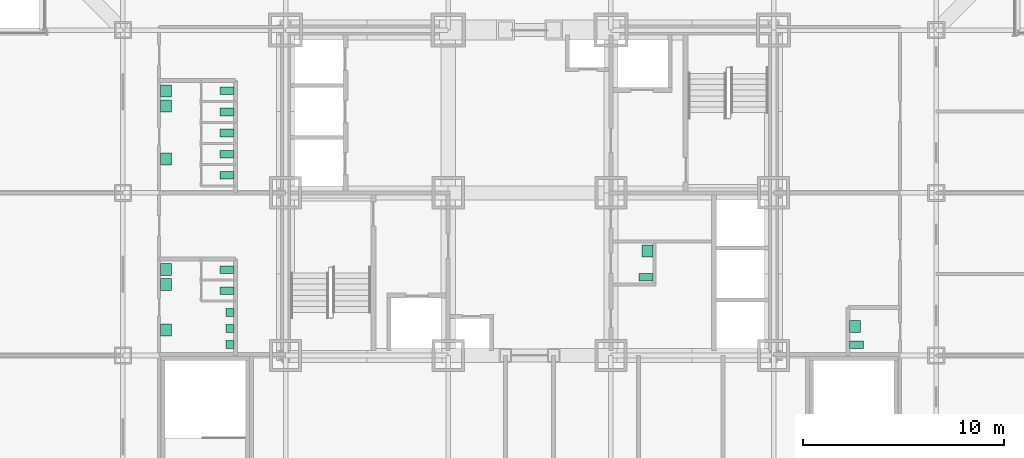
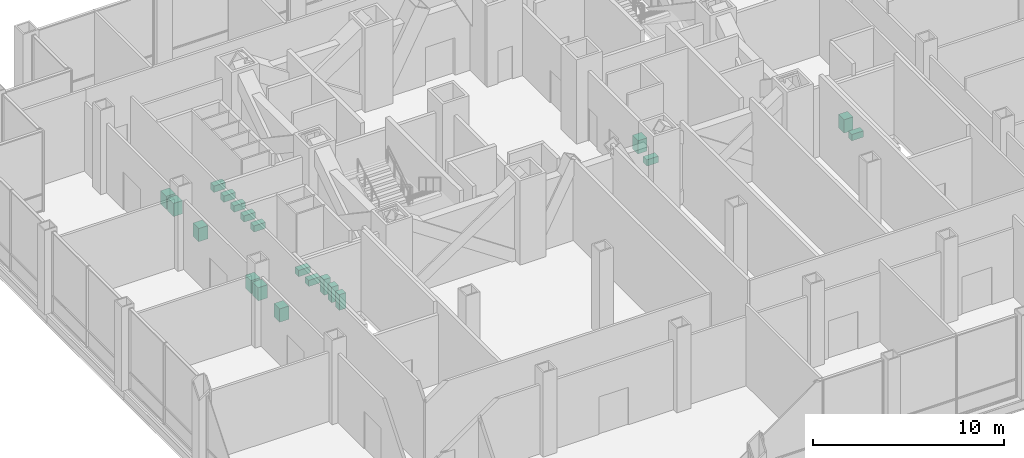
# One storey, part 18 of 18: 20 sanitary terminals.
"""IFC4 building model written with IfcOpenShell, lengths in metres."""

import ifcopenshell
import ifcopenshell.guid

model = None  # the IFC model being written
_history = None  # IfcOwnerHistory: only IFC2X3 demands one
_inside = {}  # id of a spatial element -> (the spatial element, [elements in it])
_under = {}  # id of a project, library or spatial element -> (it, [spatial elements below it])
_declared = {}  # id of a project -> (the project, [libraries it declares])
_typed = {}  # id of a type object -> (the type object, [elements of that type])
_made_of = {}  # id of a material, layer set ... -> (it, [elements and type objects made of it])


def new_model(schema):
    """Start an empty IFC model of exactly this schema.

    Asked for "IFC4X3", IfcOpenShell would pick the latest addendum, in which some entities
    have other attributes; the version numbers below select the first issue.
    IFC2X3 requires an IfcOwnerHistory on every rooted entity: one is made here for all.
    """
    global model, _history
    if schema == "IFC4X3":
        model = ifcopenshell.file(schema_version=(4, 3, 0, 0))
    else:
        model = ifcopenshell.file(schema=schema)
    _inside.clear()
    _under.clear()
    _declared.clear()
    _typed.clear()
    _made_of.clear()
    _history = None
    if model.schema == "IFC2X3":
        org = make("IfcOrganization", Name="unknown")
        user = make(
            "IfcPersonAndOrganization",
            ThePerson=make("IfcPerson", FamilyName="unknown"),
            TheOrganization=org,
        )
        app = make(
            "IfcApplication",
            ApplicationDeveloper=org,
            Version="unknown",
            ApplicationFullName="unknown",
            ApplicationIdentifier="unknown",
        )
        _history = make(
            "IfcOwnerHistory",
            OwningUser=user,
            OwningApplication=app,
            ChangeAction="ADDED",
            CreationDate=0,
        )
    return model


def make(cls, **values):
    """One entity of the class cls with the attributes given. An attribute that is None is left unset."""
    return model.create_entity(
        cls, **{name: value for name, value in values.items() if value is not None}
    )


def rooted(cls, **values):
    """An entity with a GlobalId (a new one), such as an element, a storey or a relation."""
    return make(cls, GlobalId=ifcopenshell.guid.new(), OwnerHistory=_history, **values)


def si_unit(unit_type, name, prefix=None):
    """IfcSIUnit, for example si_unit("LENGTHUNIT", "METRE", prefix="MILLI")."""
    return make("IfcSIUnit", UnitType=unit_type, Prefix=prefix, Name=name)


def assignment(units):
    """IfcUnitAssignment: the units of a project."""
    return None if units is None else make("IfcUnitAssignment", Units=units)


def point(xyz):
    """IfcCartesianPoint."""
    return None if xyz is None else make("IfcCartesianPoint", Coordinates=xyz)


def direction(xyz):
    """IfcDirection."""
    return None if xyz is None else make("IfcDirection", DirectionRatios=xyz)


def frame(location, z_axis=None, x_axis=None):
    """IfcAxis2Placement3D, a coordinate frame: its origin and axes. An axis left out is left unset."""
    return make(
        "IfcAxis2Placement3D",
        Location=point(location),
        Axis=direction(z_axis),
        RefDirection=direction(x_axis),
    )


def frame_2d(location, x_axis=None):
    """IfcAxis2Placement2D, a coordinate frame in the plane: its origin and x axis."""
    return make(
        "IfcAxis2Placement2D", Location=point(location), RefDirection=direction(x_axis)
    )


def origin():
    """The frame at (0, 0, 0) with its axes left unset."""
    return frame((0.0, 0.0, 0.0))


def origin_2d():
    """The frame at (0, 0) in the plane with its x axis left unset."""
    return frame_2d((0.0, 0.0))


def place(relative_to, where):
    """IfcLocalPlacement: puts the frame where relative to a parent placement (None: the world)."""
    return make(
        "IfcLocalPlacement", PlacementRelTo=relative_to, RelativePlacement=where
    )


def context(
    kind, dimensions, precision=None, world=None, true_north=None, identifier=None
):
    """IfcGeometricRepresentationContext, for example the 3D "Model" context."""
    return make(
        "IfcGeometricRepresentationContext",
        ContextIdentifier=identifier,
        ContextType=kind,
        CoordinateSpaceDimension=dimensions,
        Precision=precision,
        WorldCoordinateSystem=world,
        TrueNorth=true_north,
    )


def subcontext(parent, identifier, kind, view, scale=None):
    """IfcGeometricRepresentationSubContext, for example "Body" below "Model"."""
    return make(
        "IfcGeometricRepresentationSubContext",
        ContextIdentifier=identifier,
        ContextType=kind,
        ParentContext=parent,
        TargetScale=scale,
        TargetView=view,
    )


def project(units=None, contexts=None):
    """IfcProject with its units and contexts."""
    return rooted(
        "IfcProject",
        Name="project",
        RepresentationContexts=contexts,
        UnitsInContext=assignment(units),
    )


def spatial(cls, under=None, at=None, **own):
    """A site, building, storey or space (cls), placed at a placement, below another one or the project."""
    s = rooted(cls, ObjectPlacement=at, **own)
    if under is not None:
        _under.setdefault(under.id(), (under, []))[1].append(s)
    return s


def profile(cls, at=None, kind="AREA", **sizes):
    """A parametric profile (cls). Its sizes go by their IFC names, for example OverallWidth=200.0."""
    return make(cls, ProfileType=kind, Position=at, **sizes)


def rectangle(**sizes):
    """IfcRectangleProfileDef."""
    return profile("IfcRectangleProfileDef", **sizes)


def extrude(swept, where, along, depth):
    """IfcExtrudedAreaSolid: the profile swept, set in the frame where, extruded along a direction by depth."""
    return make(
        "IfcExtrudedAreaSolid",
        SweptArea=swept,
        Position=where,
        ExtrudedDirection=direction(along),
        Depth=depth,
    )


def shape(context_of_items, identifier, shape_type, items):
    """IfcShapeRepresentation: the items that make up one representation, for example the "Body"."""
    return make(
        "IfcShapeRepresentation",
        ContextOfItems=context_of_items,
        RepresentationIdentifier=identifier,
        RepresentationType=shape_type,
        Items=items,
    )


def material(Name=None, Category=None):
    """IfcMaterial."""
    return make("IfcMaterial", Name=Name, Category=Category)


def made_of(thing, what):
    """Note that an element or type object is made of a material, layer set ...; save() writes the relation."""
    if what is not None:
        _made_of.setdefault(what.id(), (what, []))[1].append(thing)
    return thing


def element(
    cls,
    number,
    at=None,
    inside=None,
    cuts=None,
    type_object=None,
    material=None,
    context=None,
    identifier="Body",
    shape_type=None,
    held_by="IfcProductDefinitionShape",
    body=None,
    shapes=None,
    **own,
):
    """One element of the class cls, such as IfcWall. Its Tag is "e" and its number.

    at: its placement. inside: the storey or other place that contains it. cuts: it is an
    opening in that element (IfcRelVoidsElement). A single representation is given by context,
    identifier, shape_type and body (its items); several are given by shapes. held_by: the class
    of the entity that holds the representations. save() writes the other relations.
    """
    e = rooted(cls, Tag="e%d" % number, ObjectPlacement=at, **own)
    if body is not None:
        shapes = [shape(context, identifier, shape_type, body)]
    if shapes is not None:
        e.Representation = make(held_by, Representations=shapes)
    if inside is not None:
        _inside.setdefault(inside.id(), (inside, []))[1].append(e)
    if cuts is not None:
        rooted(
            "IfcRelVoidsElement", RelatingBuildingElement=cuts, RelatedOpeningElement=e
        )
    if type_object is not None:
        _typed.setdefault(type_object.id(), (type_object, []))[1].append(e)
    return made_of(e, material)


def aggregate(whole, parts):
    """IfcRelAggregates: a whole, such as a stair, and the parts it consists of."""
    return rooted("IfcRelAggregates", RelatingObject=whole, RelatedObjects=parts)


def save(model, path):
    """Write the relations noted so far, then the file.

    IfcRelAggregates (storeys below a building ...), IfcRelContainedInSpatialStructure (elements
    in a storey), IfcRelDefinesByType, IfcRelAssociatesMaterial and IfcRelDeclares: one each for
    every whole, place, type object, material and project.
    """
    for whole, parts in _under.values():
        aggregate(whole, parts)
    for where, things in _inside.values():
        rooted(
            "IfcRelContainedInSpatialStructure",
            RelatedElements=things,
            RelatingStructure=where,
        )
    for kind, things in _typed.values():
        rooted("IfcRelDefinesByType", RelatedObjects=things, RelatingType=kind)
    for what, things in _made_of.values():
        rooted("IfcRelAssociatesMaterial", RelatedObjects=things, RelatingMaterial=what)
    for by, libraries in _declared.values():
        rooted("IfcRelDeclares", RelatingContext=by, RelatedDefinitions=libraries)
    model.write(path)


model = new_model("IFC4")

# Units and contexts
model_context = context("Model", 3, precision=1e-05, world=origin(), true_north=direction((0.0, 1.0)))
body_context = subcontext(model_context, "Body", "Model", "MODEL_VIEW")
ifc_project = project(units=[si_unit("LENGTHUNIT", "METRE"), si_unit("AREAUNIT", "SQUARE_METRE"), si_unit("VOLUMEUNIT", "CUBIC_METRE"), si_unit("PLANEANGLEUNIT", "RADIAN"), si_unit("MASSUNIT", "GRAM", prefix="KILO")], contexts=[model_context])

# Site, building, storey
site_placement = place(None, origin())
site = spatial("IfcSite", under=ifc_project, at=site_placement, CompositionType="ELEMENT")
building_placement = place(site_placement, origin())
building = spatial("IfcBuilding", under=site, at=building_placement, Name="Kopane Lantern Tower", CompositionType="ELEMENT")
storey_placement = place(building_placement, frame((0.0, 0.0, 22.199951171875)))
storey = spatial("IfcBuildingStorey", under=building, at=storey_placement, Name="L04", CompositionType="ELEMENT", Elevation=22.199951171875)

# Sanitary terminals
ifc_material = material(Name="Vitreous china")
for number, where, z_axis, x_axis, name in (
    (1, (13.27490234375, 27.52490234375, 0.0), (0.0, 0.0, 1.0), (1.0, 0.0, 0.0), "WC pan L04"),
    (2, (13.27490234375, 28.574951171875, 0.0), (0.0, 0.0, 1.0), (1.0, 0.0, 0.0), "WC pan L04"),
):
    element("IfcSanitaryTerminal", number, at=place(storey_placement, frame(where, z_axis=z_axis, x_axis=x_axis)), inside=storey, material=ifc_material, Name=name, PredefinedType="TOILETPAN", context=body_context, shape_type="SweptSolid", body=[
        extrude(rectangle(XDim=0.699951171875, YDim=0.3798828125, at=origin_2d()), origin(), (0.0, 0.0, 1.0), 0.39990234375),
    ])
for number, where, z_axis, x_axis, name in (
    (3, (13.425048828125, 26.449951171875, 0.0), (0.0, 0.0, 1.0), (1.0, 0.0, 0.0), "Urinal L04"),
    (4, (13.425048828125, 25.64990234375, 0.0), (0.0, 0.0, 1.0), (1.0, 0.0, 0.0), "Urinal L04"),
    (5, (13.425048828125, 24.85009765625, 0.0), (0.0, 0.0, 1.0), (1.0, 0.0, 0.0), "Urinal L04"),
):
    element("IfcSanitaryTerminal", number, at=place(storey_placement, frame(where, z_axis=z_axis, x_axis=x_axis)), inside=storey, material=ifc_material, Name=name, PredefinedType="URINAL", context=body_context, shape_type="SweptSolid", body=[
        extrude(rectangle(XDim=0.39990234375, YDim=0.39990234375, at=origin_2d()), origin(), (0.0, 0.0, 1.0), 1.0),
    ])
for number, where, z_axis, x_axis, name in (
    (6, (10.25, 28.574951171875, 0.0), (0.0, 0.0, 1.0), (1.0, 0.0, 0.0), "Wash basin L04"),
    (7, (10.25, 27.824951171875, 0.0), (0.0, 0.0, 1.0), (1.0, 0.0, 0.0), "Wash basin L04"),
    (8, (10.25, 25.574951171875, 0.0), (0.0, 0.0, 1.0), (1.0, 0.0, 0.0), "Wash basin L04"),
):
    element("IfcSanitaryTerminal", number, at=place(storey_placement, frame(where, z_axis=z_axis, x_axis=x_axis)), inside=storey, material=ifc_material, Name=name, PredefinedType="WASHHANDBASIN", context=body_context, shape_type="SweptSolid", body=[
        extrude(rectangle(XDim=0.550048828125, YDim=0.60009765625, at=origin_2d()), origin(), (0.0, 0.0, 1.0), 0.85009765625),
    ])
for number, where, z_axis, x_axis, name in (
    (9, (13.27490234375, 33.27490234375, 0.0), (0.0, 0.0, 1.0), (1.0, 0.0, 0.0), "WC pan L04"),
    (10, (13.27490234375, 34.324951171875, 0.0), (0.0, 0.0, 1.0), (1.0, 0.0, 0.0), "WC pan L04"),
    (11, (13.27490234375, 35.375, 0.0), (0.0, 0.0, 1.0), (1.0, 0.0, 0.0), "WC pan L04"),
    (12, (13.27490234375, 36.425048828125, 0.0), (0.0, 0.0, 1.0), (1.0, 0.0, 0.0), "WC pan L04"),
    (13, (13.27490234375, 37.47509765625, 0.0), (0.0, 0.0, 1.0), (1.0, 0.0, 0.0), "WC pan L04"),
):
    element("IfcSanitaryTerminal", number, at=place(storey_placement, frame(where, z_axis=z_axis, x_axis=x_axis)), inside=storey, material=ifc_material, Name=name, PredefinedType="TOILETPAN", context=body_context, shape_type="SweptSolid", body=[
        extrude(rectangle(XDim=0.699951171875, YDim=0.3798828125, at=origin_2d()), origin(), (0.0, 0.0, 1.0), 0.39990234375),
    ])
for number, where, z_axis, x_axis, name in (
    (14, (10.25, 37.47509765625, 0.0), (0.0, 0.0, 1.0), (1.0, 0.0, 0.0), "Wash basin L04"),
    (15, (10.25, 36.72509765625, 0.0), (0.0, 0.0, 1.0), (1.0, 0.0, 0.0), "Wash basin L04"),
    (16, (10.25, 34.074951171875, 0.0), (0.0, 0.0, 1.0), (1.0, 0.0, 0.0), "Wash basin L04"),
):
    element("IfcSanitaryTerminal", number, at=place(storey_placement, frame(where, z_axis=z_axis, x_axis=x_axis)), inside=storey, material=ifc_material, Name=name, PredefinedType="WASHHANDBASIN", context=body_context, shape_type="SweptSolid", body=[
        extrude(rectangle(XDim=0.550048828125, YDim=0.60009765625, at=origin_2d()), origin(), (0.0, 0.0, 1.0), 0.85009765625),
    ])
sanitary_terminal_1_placement = place(storey_placement, frame((44.625, 24.824951171875, 0.0), z_axis=(0.0, 0.0, 1.0), x_axis=(1.0, 0.0, 0.0)))
element("IfcSanitaryTerminal", 17, at=sanitary_terminal_1_placement, inside=storey, material=ifc_material, Name="WC pan L04", PredefinedType="TOILETPAN", context=body_context, shape_type="SweptSolid", body=[
    extrude(rectangle(XDim=0.699951171875, YDim=0.3798828125, at=origin_2d()), origin(), (0.0, 0.0, 1.0), 0.39990234375),
])
sanitary_terminal_2_placement = place(storey_placement, frame((44.550048828125, 25.75, 0.0), z_axis=(0.0, 0.0, 1.0), x_axis=(1.0, 0.0, 0.0)))
element("IfcSanitaryTerminal", 18, at=sanitary_terminal_2_placement, inside=storey, material=ifc_material, Name="Wash basin L04", PredefinedType="WASHHANDBASIN", context=body_context, shape_type="SweptSolid", body=[
    extrude(rectangle(XDim=0.550048828125, YDim=0.60009765625, at=origin_2d()), origin(), (0.0, 0.0, 1.0), 0.85009765625),
])
sanitary_terminal_3_placement = place(storey_placement, frame((34.14990234375, 28.199951171875, 0.0), z_axis=(0.0, 0.0, 1.0), x_axis=(1.0, 0.0, 0.0)))
element("IfcSanitaryTerminal", 19, at=sanitary_terminal_3_placement, inside=storey, material=ifc_material, Name="WC pan L04", PredefinedType="TOILETPAN", context=body_context, shape_type="SweptSolid", body=[
    extrude(rectangle(XDim=0.699951171875, YDim=0.3798828125, at=origin_2d()), origin(), (0.0, 0.0, 1.0), 0.39990234375),
])
sanitary_terminal_4_placement = place(storey_placement, frame((34.22509765625, 29.5, 0.0), z_axis=(0.0, 0.0, 1.0), x_axis=(1.0, 0.0, 0.0)))
element("IfcSanitaryTerminal", 20, at=sanitary_terminal_4_placement, inside=storey, material=ifc_material, Name="Wash basin L04", PredefinedType="WASHHANDBASIN", context=body_context, shape_type="SweptSolid", body=[
    extrude(rectangle(XDim=0.550048828125, YDim=0.60009765625, at=origin_2d()), origin(), (0.0, 0.0, 1.0), 0.85009765625),
])

save(model, "model.ifc")
